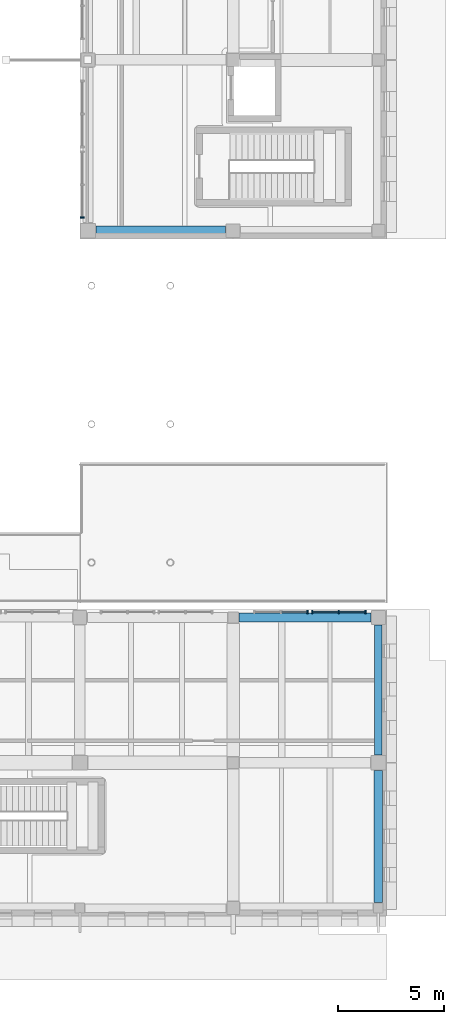
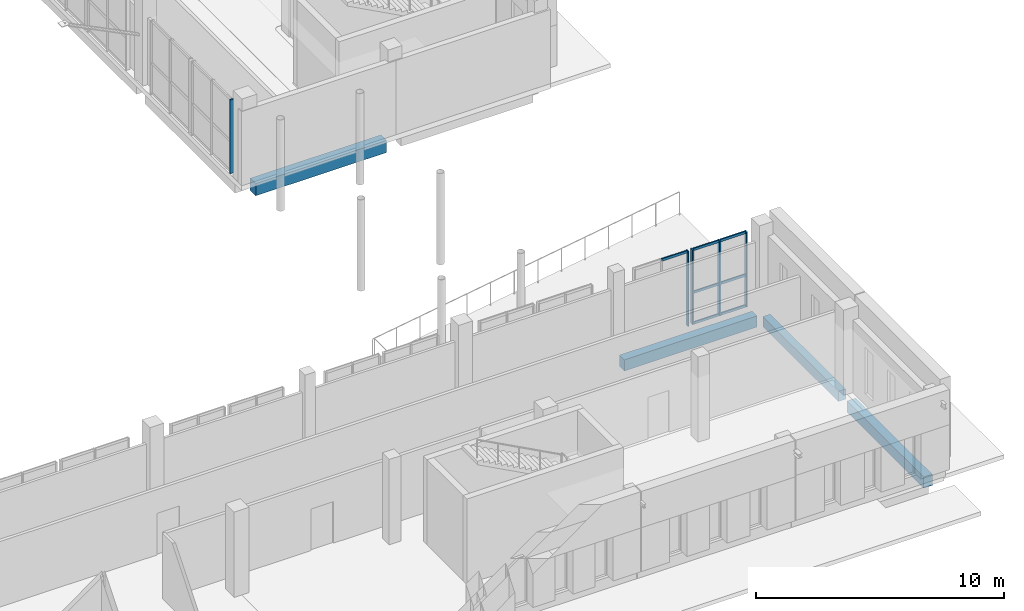
# One storey, part 30 of 77: 12 members, 4 beams, 3 elements without a shape of their own.
"""IFC4 building model written with IfcOpenShell, lengths in metres."""

from ifc_helpers import new_model, si_unit, direction, frame, origin, origin_2d, place, context, subcontext, project, spatial, rectangle, extrude, material, layer, layer_set, material_profile, profile_set, type_object, element, aggregate, save


model = new_model("IFC4")

# Units and contexts
model_context = context("Model", 3, precision=1e-05, world=origin(), true_north=direction((0.0, 1.0)))
body_context = subcontext(model_context, "Body", "Model", "MODEL_VIEW")
ifc_project = project(units=[si_unit("LENGTHUNIT", "METRE"), si_unit("AREAUNIT", "SQUARE_METRE"), si_unit("VOLUMEUNIT", "CUBIC_METRE"), si_unit("PLANEANGLEUNIT", "RADIAN"), si_unit("MASSUNIT", "GRAM", prefix="KILO")], contexts=[model_context])

# Site, building, storey
site_placement = place(None, origin())
site = spatial("IfcSite", under=ifc_project, at=site_placement, CompositionType="ELEMENT")
building_placement = place(site_placement, origin())
building = spatial("IfcBuilding", under=site, at=building_placement, Name="Vardoun Plaza Health Centre", CompositionType="ELEMENT")
storey_placement = place(building_placement, origin())
storey = spatial("IfcBuildingStorey", under=building, at=storey_placement, Name="L00", CompositionType="ELEMENT", Elevation=0.0)

# Beams
ifc_material_1 = material(Name="Concrete C35/45", Category="concrete")
ifc_material_profile_1 = material_profile(ifc_material_1, rectangle(XDim=0.35009765625, YDim=0.5, at=origin_2d()), Name="RC-BM 350x500")
ifc_profile_set_1 = profile_set([ifc_material_profile_1], Name="Concrete C35/45")
beam_type_1 = type_object("IfcBeamType", Name="B-08", PredefinedType="SPANDREL", material=ifc_profile_set_1)
beam_1_placement = place(storey_placement, frame((164.919921875, 12.074951171875, -0.544921875), z_axis=(0.0, 1.0, 0.0), x_axis=(-1.0, 0.0, 0.0)))
element("IfcBeam", 1, at=beam_1_placement, inside=storey, type_object=beam_type_1, Name="V5 L00 Beam B-V5-L00-Y40", PredefinedType="SPANDREL", context=body_context, shape_type="SweptSolid", body=[
    extrude(rectangle(XDim=0.35009765625, YDim=0.5, at=origin_2d()), origin(), (0.0, 0.0, 1.0), 6.094970703125),
])
ifc_material_2 = material(Name="Concrete C35/45", Category="concrete")
ifc_material_profile_2 = material_profile(ifc_material_2, rectangle(XDim=0.39990234375, YDim=0.550048828125, at=origin_2d()), Name="RC-BM 400x550")
ifc_profile_set_2 = profile_set([ifc_material_profile_2], Name="Concrete C35/45")
beam_type_2 = type_object("IfcBeamType", Name="B-09", PredefinedType="SPANDREL", material=ifc_profile_set_2)
for number, where, z_axis, x_axis, name in (
    (2, (158.375, 18.52001953125, -0.570068359375), (1.0, 0.0, 0.0), (0.0, 1.0, 0.0), "V5 L00 Beam B-V5-L00-X24"),
    (3, (164.919921875, 5.1298828125, -0.570068359375), (0.0, 1.0, 0.0), (-1.0, 0.0, 0.0), "V5 L00 Beam B-V5-L00-Y39"),
):
    element("IfcBeam", number, at=place(storey_placement, frame(where, z_axis=z_axis, x_axis=x_axis)), inside=storey, type_object=beam_type_2, Name=name, PredefinedType="SPANDREL", context=body_context, shape_type="SweptSolid", body=[
        extrude(rectangle(XDim=0.39990234375, YDim=0.550048828125, at=origin_2d()), origin(), (0.0, 0.0, 1.0), 6.195068359375),
    ])
ifc_material_3 = material(Name="Concrete C35/45", Category="concrete")
ifc_material_profile_3 = material_profile(ifc_material_3, rectangle(XDim=0.449951171875, YDim=0.60009765625, at=origin_2d()), Name="RC-BM 450x600")
ifc_profile_set_3 = profile_set([ifc_material_profile_3], Name="Concrete C35/45")
beam_type_3 = type_object("IfcBeamType", Name="B-11", PredefinedType="SPANDREL", material=ifc_profile_set_3)
beam_2_placement = place(storey_placement, frame((151.655029296875, 36.679931640625, -0.550048828125), z_axis=(1.0, 0.0, 0.0), x_axis=(0.0, 1.0, 0.0)))
element("IfcBeam", 4, at=beam_2_placement, inside=storey, type_object=beam_type_3, Name="V6 L00 Beam B-V6-L00-X01", PredefinedType="SPANDREL", context=body_context, shape_type="SweptSolid", body=[
    extrude(rectangle(XDim=0.449951171875, YDim=0.60009765625, at=origin_2d()), origin(), (0.0, 0.0, 1.0), 6.094970703125),
])

# Curtain wall, member
ifc_material_4 = material(Name="Aluminium Alloy EN AW-6063-T6 and Low-E Glass", Category="aluminium")
ifc_layer_1 = layer(ifc_material_4, 0.14990234375)
ifc_layer_set_1 = layer_set([ifc_layer_1], Name="Aluminium Alloy EN AW-6063-T6 and Low-E Glass")
curtain_wall_type_1 = type_object("IfcCurtainWallType", Name="CW-03", PredefinedType="NOTDEFINED", material=ifc_layer_set_1)
curtain_wall_1_placement = place(storey_placement, origin())
curtain_wall_1 = element("IfcCurtainWall", 5, at=curtain_wall_1_placement, inside=storey, type_object=curtain_wall_type_1, Name="Curtain Wall CW-V5-147", PredefinedType="NOTDEFINED")
ifc_material_5 = material(Name="Aluminium Alloy EN AW-6063-T6", Category="aluminium")
ifc_material_profile_4 = material_profile(ifc_material_5, rectangle(XDim=0.159912109375, YDim=0.06005859375, at=origin_2d()), Name="CWM 60x160")
ifc_profile_set_4 = profile_set([ifc_material_profile_4], Name="Aluminium Alloy EN AW-6063-T6")
member_type_1 = type_object("IfcMemberType", Name="CW-M1", PredefinedType="MULLION", material=ifc_profile_set_4)
member_1_placement = place(storey_placement, frame((161.590087890625, 18.780029296875, 0.0), z_axis=(0.0, 0.0, 1.0), x_axis=(0.0, 1.0, 0.0)))
member_1 = element("IfcMember", 6, at=member_1_placement, type_object=member_type_1, Name="CW-V5-147 mullion 3", PredefinedType="MULLION", context=body_context, shape_type="SweptSolid", body=[
    extrude(rectangle(XDim=0.159912109375, YDim=0.06005859375, at=origin_2d()), origin(), (0.0, 0.0, 1.0), 3.68994140625),
])

# Curtain wall, members
curtain_wall_2_placement = place(storey_placement, origin())
curtain_wall_2 = element("IfcCurtainWall", 7, at=curtain_wall_2_placement, inside=storey, type_object=curtain_wall_type_1, Name="Curtain Wall CW-V5-148", PredefinedType="NOTDEFINED")
member_2_placement = place(storey_placement, frame((161.81005859375, 18.780029296875, 0.0), z_axis=(0.0, 0.0, 1.0), x_axis=(0.0, 1.0, 0.0)))
member_2 = element("IfcMember", 8, at=member_2_placement, type_object=member_type_1, Name="CW-V5-148 mullion 1", PredefinedType="MULLION", context=body_context, shape_type="SweptSolid", body=[
    extrude(rectangle(XDim=0.159912109375, YDim=0.06005859375, at=origin_2d()), origin(), (0.0, 0.0, 1.0), 3.68994140625),
])
member_3_placement = place(storey_placement, frame((163.06005859375, 18.780029296875, 0.0), z_axis=(0.0, 0.0, 1.0), x_axis=(0.0, 1.0, 0.0)))
member_3 = element("IfcMember", 9, at=member_3_placement, type_object=member_type_1, Name="CW-V5-148 mullion 2", PredefinedType="MULLION", context=body_context, shape_type="SweptSolid", body=[
    extrude(rectangle(XDim=0.159912109375, YDim=0.06005859375, at=origin_2d()), origin(), (0.0, 0.0, 1.0), 3.68994140625),
])
member_4_placement = place(storey_placement, frame((164.31005859375, 18.780029296875, 0.0), z_axis=(0.0, 0.0, 1.0), x_axis=(0.0, 1.0, 0.0)))
member_4 = element("IfcMember", 10, at=member_4_placement, type_object=member_type_1, Name="CW-V5-148 mullion 3", PredefinedType="MULLION", context=body_context, shape_type="SweptSolid", body=[
    extrude(rectangle(XDim=0.159912109375, YDim=0.06005859375, at=origin_2d()), origin(), (0.0, 0.0, 1.0), 3.68994140625),
])

# Curtain wall, member
ifc_material_6 = material(Name="Aluminium Alloy EN AW-6063-T6 and Low-E Glass", Category="aluminium")
ifc_layer_2 = layer(ifc_material_6, 0.179931640625)
ifc_layer_set_2 = layer_set([ifc_layer_2], Name="Aluminium Alloy EN AW-6063-T6 and Low-E Glass")
curtain_wall_type_2 = type_object("IfcCurtainWallType", Name="CW-01", PredefinedType="USERDEFINED", material=ifc_layer_set_2)
curtain_wall_3_placement = place(storey_placement, origin())
curtain_wall_3 = element("IfcCurtainWall", 11, at=curtain_wall_3_placement, inside=storey, type_object=curtain_wall_type_2, Name="Curtain Wall CW-V6-191", ObjectType="CONCOURSE_CURTAIN_WALL", PredefinedType="USERDEFINED")
ifc_material_7 = material(Name="Aluminium Alloy EN AW-6063-T6", Category="aluminium")
ifc_material_profile_5 = material_profile(ifc_material_7, rectangle(XDim=0.179931640625, YDim=0.06494140625, at=origin_2d()), Name="CWM 65x180")
ifc_profile_set_5 = profile_set([ifc_material_profile_5], Name="Aluminium Alloy EN AW-6063-T6")
member_type_2 = type_object("IfcMemberType", Name="CW-M2", PredefinedType="MULLION", material=ifc_profile_set_5)
member_5_placement = place(storey_placement, frame((151.02001953125, 37.29248046875, 0.0), z_axis=(0.0, 0.0, 1.0), x_axis=(-1.0, 0.0, 0.0)))
member_5 = element("IfcMember", 12, at=member_5_placement, type_object=member_type_2, Name="CW-V6-191 mullion 1", PredefinedType="MULLION", context=body_context, shape_type="SweptSolid", body=[
    extrude(rectangle(XDim=0.179931640625, YDim=0.06494140625, at=origin_2d()), origin(), (0.0, 0.0, 1.0), 3.635009765625),
])
aggregate(curtain_wall_3, [member_5])

# Member
ifc_material_8 = material(Name="Aluminium Alloy EN AW-6063-T6", Category="aluminium")
ifc_material_profile_6 = material_profile(ifc_material_8, rectangle(XDim=0.06005859375, YDim=0.1201171875, at=origin_2d()), Name="CWT 60x120")
ifc_profile_set_6 = profile_set([ifc_material_profile_6], Name="Aluminium Alloy EN AW-6063-T6")
member_type_3 = type_object("IfcMemberType", Name="CW-T1", PredefinedType="USERDEFINED", material=ifc_profile_set_6)
member_6_placement = place(storey_placement, frame((160.3701171875, 18.780029296875, 3.659912109375), z_axis=(1.0, 0.0, 0.0), x_axis=(0.0, 1.0, 0.0)))
member_6 = element("IfcMember", 13, at=member_6_placement, type_object=member_type_3, Name="CW-V5-147 transom 2.3", ObjectType="TRANSOM", PredefinedType="USERDEFINED", context=body_context, shape_type="SweptSolid", body=[
    extrude(rectangle(XDim=0.06005859375, YDim=0.1201171875, at=origin_2d()), origin(), (0.0, 0.0, 1.0), 1.18994140625),
])

aggregate(curtain_wall_1, [member_1, member_6])

member_7_placement = place(storey_placement, frame((161.840087890625, 18.780029296875, 0.030029296875), z_axis=(1.0, 0.0, 0.0), x_axis=(0.0, 1.0, 0.0)))
member_7 = element("IfcMember", 14, at=member_7_placement, type_object=member_type_3, Name="CW-V5-148 transom 1.1", ObjectType="TRANSOM", PredefinedType="USERDEFINED", context=body_context, shape_type="SweptSolid", body=[
    extrude(rectangle(XDim=0.06005859375, YDim=0.1201171875, at=origin_2d()), origin(), (0.0, 0.0, 1.0), 1.18994140625),
])

member_8_placement = place(storey_placement, frame((161.840087890625, 18.780029296875, 1.5498046875), z_axis=(1.0, 0.0, 0.0), x_axis=(0.0, 1.0, 0.0)))
member_8 = element("IfcMember", 15, at=member_8_placement, type_object=member_type_3, Name="CW-V5-148 transom 1.2", ObjectType="TRANSOM", PredefinedType="USERDEFINED", context=body_context, shape_type="SweptSolid", body=[
    extrude(rectangle(XDim=0.06005859375, YDim=0.1201171875, at=origin_2d()), origin(), (0.0, 0.0, 1.0), 1.18994140625),
])

member_9_placement = place(storey_placement, frame((161.840087890625, 18.780029296875, 3.659912109375), z_axis=(1.0, 0.0, 0.0), x_axis=(0.0, 1.0, 0.0)))
member_9 = element("IfcMember", 16, at=member_9_placement, type_object=member_type_3, Name="CW-V5-148 transom 1.3", ObjectType="TRANSOM", PredefinedType="USERDEFINED", context=body_context, shape_type="SweptSolid", body=[
    extrude(rectangle(XDim=0.06005859375, YDim=0.1201171875, at=origin_2d()), origin(), (0.0, 0.0, 1.0), 1.18994140625),
])

member_10_placement = place(storey_placement, frame((163.090087890625, 18.780029296875, 0.030029296875), z_axis=(1.0, 0.0, 0.0), x_axis=(0.0, 1.0, 0.0)))
member_10 = element("IfcMember", 17, at=member_10_placement, type_object=member_type_3, Name="CW-V5-148 transom 2.1", ObjectType="TRANSOM", PredefinedType="USERDEFINED", context=body_context, shape_type="SweptSolid", body=[
    extrude(rectangle(XDim=0.06005859375, YDim=0.1201171875, at=origin_2d()), origin(), (0.0, 0.0, 1.0), 1.18994140625),
])

member_11_placement = place(storey_placement, frame((163.090087890625, 18.780029296875, 1.5498046875), z_axis=(1.0, 0.0, 0.0), x_axis=(0.0, 1.0, 0.0)))
member_11 = element("IfcMember", 18, at=member_11_placement, type_object=member_type_3, Name="CW-V5-148 transom 2.2", ObjectType="TRANSOM", PredefinedType="USERDEFINED", context=body_context, shape_type="SweptSolid", body=[
    extrude(rectangle(XDim=0.06005859375, YDim=0.1201171875, at=origin_2d()), origin(), (0.0, 0.0, 1.0), 1.18994140625),
])

member_12_placement = place(storey_placement, frame((163.090087890625, 18.780029296875, 3.659912109375), z_axis=(1.0, 0.0, 0.0), x_axis=(0.0, 1.0, 0.0)))
member_12 = element("IfcMember", 19, at=member_12_placement, type_object=member_type_3, Name="CW-V5-148 transom 2.3", ObjectType="TRANSOM", PredefinedType="USERDEFINED", context=body_context, shape_type="SweptSolid", body=[
    extrude(rectangle(XDim=0.06005859375, YDim=0.1201171875, at=origin_2d()), origin(), (0.0, 0.0, 1.0), 1.18994140625),
])

aggregate(curtain_wall_2, [member_2, member_3, member_4, member_7, member_8, member_9, member_10, member_11, member_12])

save(model, "model.ifc")
